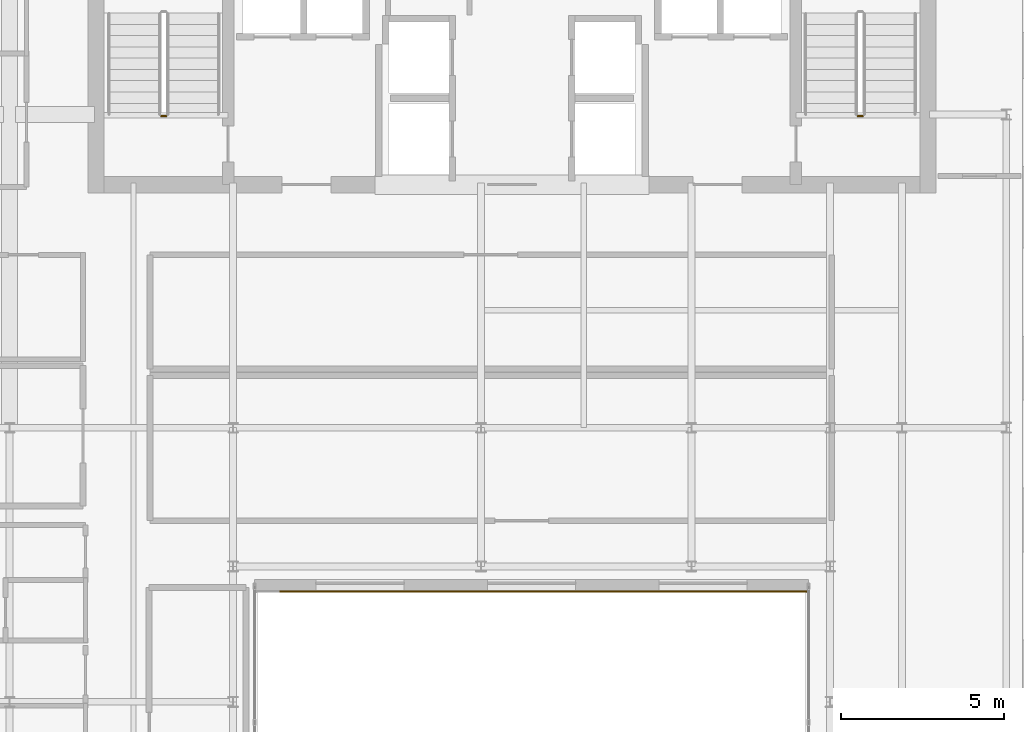
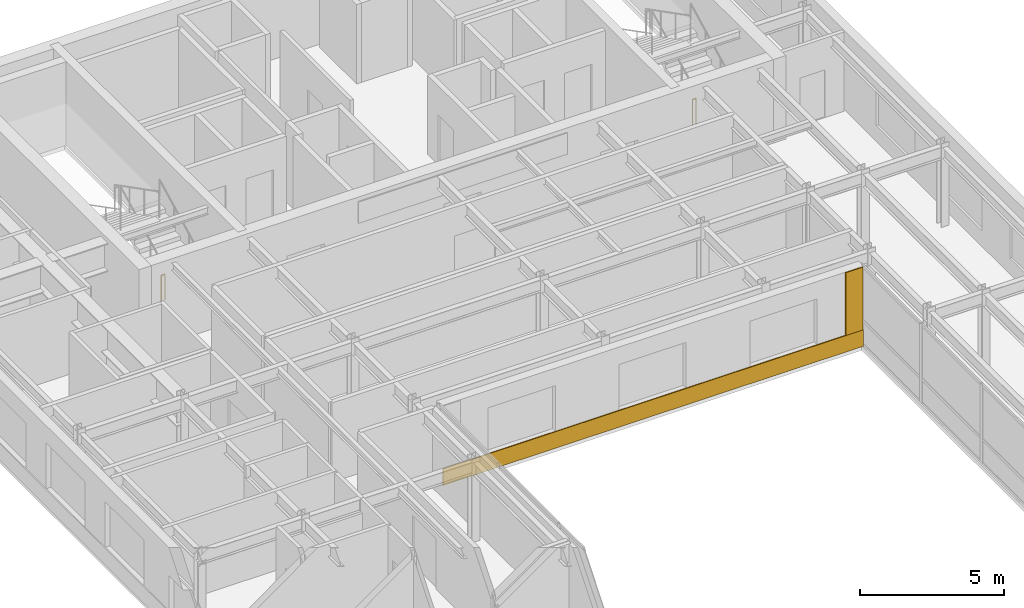
# One storey, part 19 of 21: 2 coverings, 2 railings.
"""IFC4 building model written with IfcOpenShell, lengths in metres."""

from ifc_helpers import new_model, si_unit, direction, frame, origin, origin_2d, place, context, subcontext, project, spatial, polyline, circle, outline, extrude, material, layer, layer_set, type_object, element, save


model = new_model("IFC4")

# Units and contexts
model_context = context("Model", 3, precision=1e-05, world=origin(), true_north=direction((0.0, 1.0)))
body_context = subcontext(model_context, "Body", "Model", "MODEL_VIEW")
ifc_project = project(units=[si_unit("LENGTHUNIT", "METRE"), si_unit("AREAUNIT", "SQUARE_METRE"), si_unit("VOLUMEUNIT", "CUBIC_METRE"), si_unit("PLANEANGLEUNIT", "RADIAN"), si_unit("MASSUNIT", "GRAM", prefix="KILO")], contexts=[model_context])

# Site, building, storey
site_placement = place(None, origin())
site = spatial("IfcSite", under=ifc_project, at=site_placement, CompositionType="ELEMENT")
building_placement = place(site_placement, origin())
building = spatial("IfcBuilding", under=site, at=building_placement, Name="Tolvann Quenvar Hotel", CompositionType="ELEMENT")
storey_placement = place(building_placement, frame((0.0, 0.0, 262.949951171875)))
storey = spatial("IfcBuildingStorey", under=building, at=storey_placement, Name="L70", CompositionType="ELEMENT", Elevation=262.949951171875)

# Coverings
ifc_material_1 = material(Name="Kiln-fired red architectural face brick cladding", Category="masonry")
ifc_layer_1 = layer(ifc_material_1, 0.0400390625)
ifc_layer_set_1 = layer_set([ifc_layer_1], Name="Kiln-fired red architectural face brick cladding")
covering_type_1 = type_object("IfcCoveringType", Name="COV_CLAD_BRICK_40", PredefinedType="CLADDING", material=ifc_layer_set_1)
covering_1_placement = place(storey_placement, frame((0.0, 0.0, 0.699951171875)))
element("IfcCovering", 1, at=covering_1_placement, inside=storey, type_object=covering_type_1, Name="Brick Pier Cladding (L70-E06-P2)", PredefinedType="CLADDING", context=body_context, shape_type="SweptSolid", body=[
    extrude(outline(polyline([(31.340087890625, 19.39990234375), (32.0400390625, 19.39990234375), (32.0400390625, 19.360107421875), (31.340087890625, 19.360107421875), (31.340087890625, 19.39990234375)])), origin(), (0.0, 0.0, 1.0), 2.670166015625),
])
ifc_material_2 = material(Name="Moulded buff architectural terracotta spandrel cladding", Category="masonry")
ifc_layer_2 = layer(ifc_material_2, 0.0400390625)
ifc_layer_set_2 = layer_set([ifc_layer_2], Name="Moulded buff architectural terracotta spandrel cladding")
covering_type_2 = type_object("IfcCoveringType", Name="COV_CLAD_TERRA_40", PredefinedType="CLADDING", material=ifc_layer_set_2)
covering_2_placement = place(storey_placement, origin())
element("IfcCovering", 2, at=covering_2_placement, inside=storey, type_object=covering_type_2, Name="Terracotta Spandrel Cladding (L70-E06)", PredefinedType="CLADDING", context=body_context, shape_type="SweptSolid", body=[
    extrude(outline(polyline([(15.14990234375, 19.39990234375), (32.050048828125, 19.39990234375), (32.050048828125, 19.360107421875), (15.14990234375, 19.360107421875), (15.14990234375, 19.39990234375)])), origin(), (0.0, 0.0, 1.0), 0.699951171875),
])

# Railings
ifc_material_3 = material(Name="Brushed 316 stainless steel balustrade and handrail", Category="steel")
railing_type = type_object("IfcRailingType", Name="GUARDRAIL", PredefinedType="GUARDRAIL", material=ifc_material_3)
for number, where, name in (
    (3, (12.39990234375, 33.949951171875, 0.0), "L70 ST-C1 stair guard 4"),
    (4, (33.75, 33.949951171875, 0.0), "L70 ST-C2 stair guard 4"),
):
    element("IfcRailing", number, at=place(storey_placement, frame(where)), inside=storey, type_object=railing_type, Name=name, PredefinedType="GUARDRAIL", context=body_context, shape_type="SweptSolid", body=[
        extrude(circle(Radius=0.02392578125, at=origin_2d()), frame((0.0, 0.0, 1.09619140625), z_axis=(-1.0, 0.0, 0.0), x_axis=(0.0, -1.0, 0.0)), (0.0, 0.0, 1.0), 0.14990234375),
        extrude(circle(Radius=0.02099609375, at=origin_2d()), origin(), (0.0, 0.0, 1.0), 1.072021484375),
        extrude(circle(Radius=0.02099609375, at=origin_2d()), frame((-0.14990234375, 0.0, 0.0)), (0.0, 0.0, 1.0), 1.072021484375),
    ])

save(model, "model.ifc")
